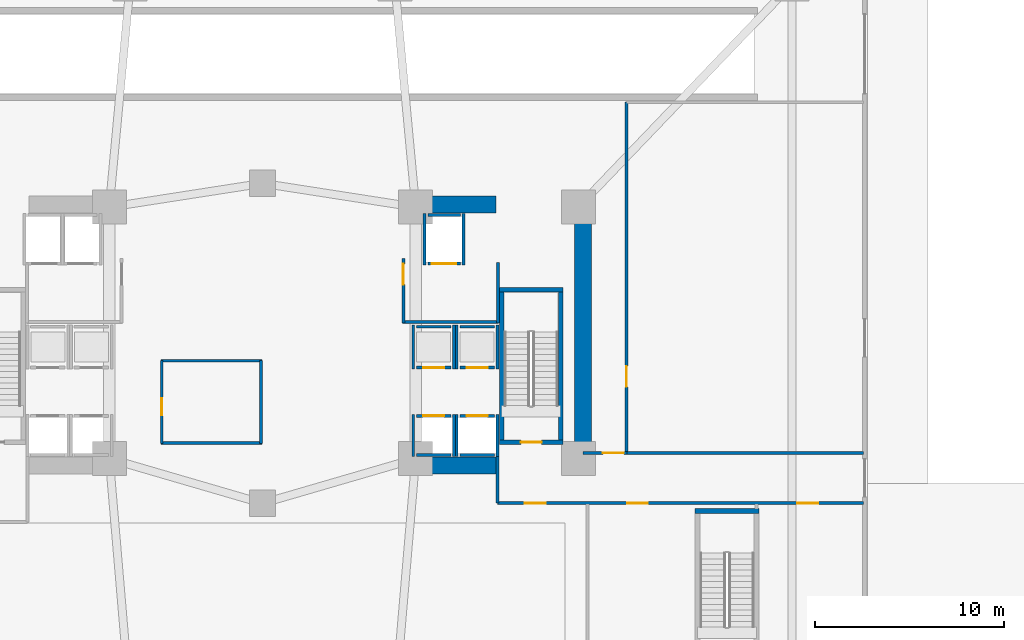
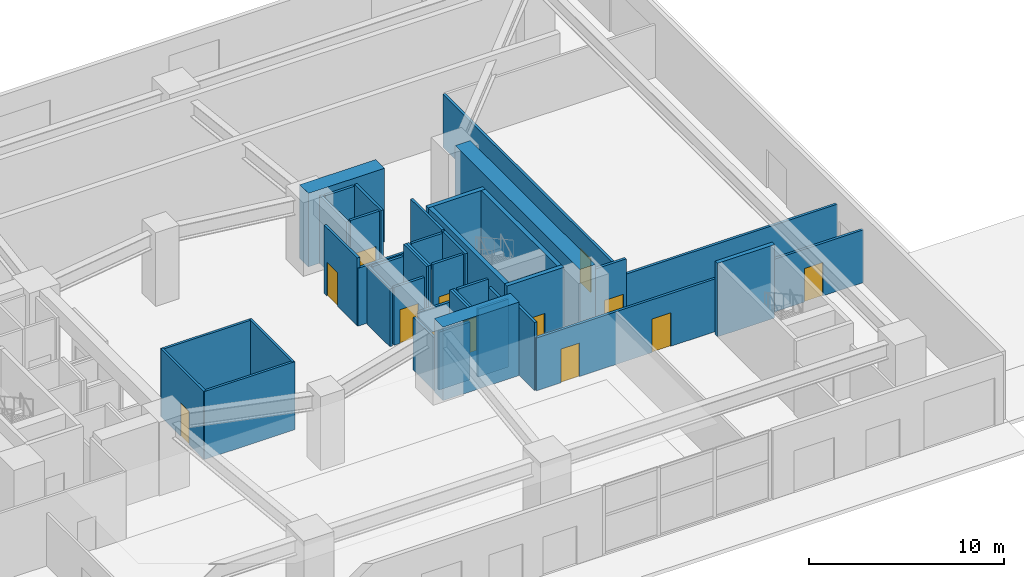
# One storey, part 11 of 18: 40 walls, 13 doors, 13 openings.
"""IFC4 building model written with IfcOpenShell, lengths in metres."""

import ifcopenshell
import ifcopenshell.guid

model = None  # the IFC model being written
_history = None  # IfcOwnerHistory: only IFC2X3 demands one
_inside = {}  # id of a spatial element -> (the spatial element, [elements in it])
_under = {}  # id of a project, library or spatial element -> (it, [spatial elements below it])
_declared = {}  # id of a project -> (the project, [libraries it declares])
_typed = {}  # id of a type object -> (the type object, [elements of that type])
_made_of = {}  # id of a material, layer set ... -> (it, [elements and type objects made of it])


def new_model(schema):
    """Start an empty IFC model of exactly this schema.

    Asked for "IFC4X3", IfcOpenShell would pick the latest addendum, in which some entities
    have other attributes; the version numbers below select the first issue.
    IFC2X3 requires an IfcOwnerHistory on every rooted entity: one is made here for all.
    """
    global model, _history
    if schema == "IFC4X3":
        model = ifcopenshell.file(schema_version=(4, 3, 0, 0))
    else:
        model = ifcopenshell.file(schema=schema)
    _inside.clear()
    _under.clear()
    _declared.clear()
    _typed.clear()
    _made_of.clear()
    _history = None
    if model.schema == "IFC2X3":
        org = make("IfcOrganization", Name="unknown")
        user = make(
            "IfcPersonAndOrganization",
            ThePerson=make("IfcPerson", FamilyName="unknown"),
            TheOrganization=org,
        )
        app = make(
            "IfcApplication",
            ApplicationDeveloper=org,
            Version="unknown",
            ApplicationFullName="unknown",
            ApplicationIdentifier="unknown",
        )
        _history = make(
            "IfcOwnerHistory",
            OwningUser=user,
            OwningApplication=app,
            ChangeAction="ADDED",
            CreationDate=0,
        )
    return model


def make(cls, **values):
    """One entity of the class cls with the attributes given. An attribute that is None is left unset."""
    return model.create_entity(
        cls, **{name: value for name, value in values.items() if value is not None}
    )


def rooted(cls, **values):
    """An entity with a GlobalId (a new one), such as an element, a storey or a relation."""
    return make(cls, GlobalId=ifcopenshell.guid.new(), OwnerHistory=_history, **values)


def si_unit(unit_type, name, prefix=None):
    """IfcSIUnit, for example si_unit("LENGTHUNIT", "METRE", prefix="MILLI")."""
    return make("IfcSIUnit", UnitType=unit_type, Prefix=prefix, Name=name)


def assignment(units):
    """IfcUnitAssignment: the units of a project."""
    return None if units is None else make("IfcUnitAssignment", Units=units)


def point(xyz):
    """IfcCartesianPoint."""
    return None if xyz is None else make("IfcCartesianPoint", Coordinates=xyz)


def direction(xyz):
    """IfcDirection."""
    return None if xyz is None else make("IfcDirection", DirectionRatios=xyz)


def frame(location, z_axis=None, x_axis=None):
    """IfcAxis2Placement3D, a coordinate frame: its origin and axes. An axis left out is left unset."""
    return make(
        "IfcAxis2Placement3D",
        Location=point(location),
        Axis=direction(z_axis),
        RefDirection=direction(x_axis),
    )


def frame_2d(location, x_axis=None):
    """IfcAxis2Placement2D, a coordinate frame in the plane: its origin and x axis."""
    return make(
        "IfcAxis2Placement2D", Location=point(location), RefDirection=direction(x_axis)
    )


def origin():
    """The frame at (0, 0, 0) with its axes left unset."""
    return frame((0.0, 0.0, 0.0))


def place(relative_to, where):
    """IfcLocalPlacement: puts the frame where relative to a parent placement (None: the world)."""
    return make(
        "IfcLocalPlacement", PlacementRelTo=relative_to, RelativePlacement=where
    )


def context(
    kind, dimensions, precision=None, world=None, true_north=None, identifier=None
):
    """IfcGeometricRepresentationContext, for example the 3D "Model" context."""
    return make(
        "IfcGeometricRepresentationContext",
        ContextIdentifier=identifier,
        ContextType=kind,
        CoordinateSpaceDimension=dimensions,
        Precision=precision,
        WorldCoordinateSystem=world,
        TrueNorth=true_north,
    )


def subcontext(parent, identifier, kind, view, scale=None):
    """IfcGeometricRepresentationSubContext, for example "Body" below "Model"."""
    return make(
        "IfcGeometricRepresentationSubContext",
        ContextIdentifier=identifier,
        ContextType=kind,
        ParentContext=parent,
        TargetScale=scale,
        TargetView=view,
    )


def project(units=None, contexts=None):
    """IfcProject with its units and contexts."""
    return rooted(
        "IfcProject",
        Name="project",
        RepresentationContexts=contexts,
        UnitsInContext=assignment(units),
    )


def spatial(cls, under=None, at=None, **own):
    """A site, building, storey or space (cls), placed at a placement, below another one or the project."""
    s = rooted(cls, ObjectPlacement=at, **own)
    if under is not None:
        _under.setdefault(under.id(), (under, []))[1].append(s)
    return s


def profile(cls, at=None, kind="AREA", **sizes):
    """A parametric profile (cls). Its sizes go by their IFC names, for example OverallWidth=200.0."""
    return make(cls, ProfileType=kind, Position=at, **sizes)


def rectangle(**sizes):
    """IfcRectangleProfileDef."""
    return profile("IfcRectangleProfileDef", **sizes)


def extrude(swept, where, along, depth):
    """IfcExtrudedAreaSolid: the profile swept, set in the frame where, extruded along a direction by depth."""
    return make(
        "IfcExtrudedAreaSolid",
        SweptArea=swept,
        Position=where,
        ExtrudedDirection=direction(along),
        Depth=depth,
    )


def shape(context_of_items, identifier, shape_type, items):
    """IfcShapeRepresentation: the items that make up one representation, for example the "Body"."""
    return make(
        "IfcShapeRepresentation",
        ContextOfItems=context_of_items,
        RepresentationIdentifier=identifier,
        RepresentationType=shape_type,
        Items=items,
    )


def material(Name=None, Category=None):
    """IfcMaterial."""
    return make("IfcMaterial", Name=Name, Category=Category)


def layer(
    of_material, thickness, ventilated=None, Name=None, Category=None, Priority=None
):
    """IfcMaterialLayer: one layer of a wall or slab, of a material (None: an air gap)."""
    return make(
        "IfcMaterialLayer",
        Material=of_material,
        LayerThickness=thickness,
        IsVentilated=ventilated,
        Name=Name,
        Category=Category,
        Priority=Priority,
    )


def layer_set(layers, Name=None):
    """IfcMaterialLayerSet."""
    return make("IfcMaterialLayerSet", MaterialLayers=layers, LayerSetName=Name)


def made_of(thing, what):
    """Note that an element or type object is made of a material, layer set ...; save() writes the relation."""
    if what is not None:
        _made_of.setdefault(what.id(), (what, []))[1].append(thing)
    return thing


def type_object(cls, material=None, **own):
    """A type object (cls), such as IfcWallType, which elements share."""
    return made_of(rooted(cls, **own), material)


def element(
    cls,
    number,
    at=None,
    inside=None,
    cuts=None,
    type_object=None,
    material=None,
    context=None,
    identifier="Body",
    shape_type=None,
    held_by="IfcProductDefinitionShape",
    body=None,
    shapes=None,
    **own,
):
    """One element of the class cls, such as IfcWall. Its Tag is "e" and its number.

    at: its placement. inside: the storey or other place that contains it. cuts: it is an
    opening in that element (IfcRelVoidsElement). A single representation is given by context,
    identifier, shape_type and body (its items); several are given by shapes. held_by: the class
    of the entity that holds the representations. save() writes the other relations.
    """
    e = rooted(cls, Tag="e%d" % number, ObjectPlacement=at, **own)
    if body is not None:
        shapes = [shape(context, identifier, shape_type, body)]
    if shapes is not None:
        e.Representation = make(held_by, Representations=shapes)
    if inside is not None:
        _inside.setdefault(inside.id(), (inside, []))[1].append(e)
    if cuts is not None:
        rooted(
            "IfcRelVoidsElement", RelatingBuildingElement=cuts, RelatedOpeningElement=e
        )
    if type_object is not None:
        _typed.setdefault(type_object.id(), (type_object, []))[1].append(e)
    return made_of(e, material)


def fill(opening, filler):
    """IfcRelFillsElement: the door or window that sits in an opening."""
    return rooted(
        "IfcRelFillsElement",
        RelatingOpeningElement=opening,
        RelatedBuildingElement=filler,
    )


def aggregate(whole, parts):
    """IfcRelAggregates: a whole, such as a stair, and the parts it consists of."""
    return rooted("IfcRelAggregates", RelatingObject=whole, RelatedObjects=parts)


def save(model, path):
    """Write the relations noted so far, then the file.

    IfcRelAggregates (storeys below a building ...), IfcRelContainedInSpatialStructure (elements
    in a storey), IfcRelDefinesByType, IfcRelAssociatesMaterial and IfcRelDeclares: one each for
    every whole, place, type object, material and project.
    """
    for whole, parts in _under.values():
        aggregate(whole, parts)
    for where, things in _inside.values():
        rooted(
            "IfcRelContainedInSpatialStructure",
            RelatedElements=things,
            RelatingStructure=where,
        )
    for kind, things in _typed.values():
        rooted("IfcRelDefinesByType", RelatedObjects=things, RelatingType=kind)
    for what, things in _made_of.values():
        rooted("IfcRelAssociatesMaterial", RelatedObjects=things, RelatingMaterial=what)
    for by, libraries in _declared.values():
        rooted("IfcRelDeclares", RelatingContext=by, RelatedDefinitions=libraries)
    model.write(path)


model = new_model("IFC4")

# Units and contexts
model_context = context("Model", 3, precision=1e-05, world=origin(), true_north=direction((0.0, 1.0)))
body_context = subcontext(model_context, "Body", "Model", "MODEL_VIEW")
ifc_project = project(units=[si_unit("LENGTHUNIT", "METRE"), si_unit("AREAUNIT", "SQUARE_METRE"), si_unit("VOLUMEUNIT", "CUBIC_METRE"), si_unit("PLANEANGLEUNIT", "RADIAN"), si_unit("MASSUNIT", "GRAM", prefix="KILO")], contexts=[model_context])

# Site, building, storey
site_placement = place(None, origin())
site = spatial("IfcSite", under=ifc_project, at=site_placement, CompositionType="ELEMENT")
building_placement = place(site_placement, origin())
building = spatial("IfcBuilding", under=site, at=building_placement, Name="Solvane Sanctuary Tower", CompositionType="ELEMENT")
storey_placement = place(building_placement, origin())
storey = spatial("IfcBuildingStorey", under=building, at=storey_placement, Name="L01", CompositionType="ELEMENT", Elevation=0.0)

# Walls
ifc_material_1 = material(Name="Concrete C70/85", Category="concrete")
ifc_layer_1 = layer(ifc_material_1, 0.89990234375, Name="Concrete C70/85")
ifc_layer_set_1 = layer_set([ifc_layer_1], Name="Concrete C70/85")
wall_type_1 = type_object("IfcWallType", Name="Wall W-CORE-900", PredefinedType="SHEAR", material=ifc_layer_set_1)
wall_1_placement = place(storey_placement, frame((48.949951171875, 17.050048828125, 0.0), z_axis=(0.0, 0.0, 1.0), x_axis=(0.0, 1.0, 0.0)))
element("IfcWall", 1, at=wall_1_placement, inside=storey, type_object=wall_type_1, Name="L01 Core Shear Wall EC-E", PredefinedType="SHEAR", context=body_context, shape_type="SweptSolid", body=[
    extrude(rectangle(XDim=12.800048828125, YDim=0.89990234375, at=frame_2d((6.39990234375, 0.0))), origin(), (0.0, 0.0, 1.0), 4.60009765625),
])
for number, where, z_axis, x_axis, name in (
    (2, (39.85009765625, 16.550048828125, 0.0), (0.0, 0.0, 1.0), (1.0, 0.0, 0.0), "L01 Core Shear Wall EC-S"),
    (3, (39.85009765625, 30.35009765625, 0.0), (0.0, 0.0, 1.0), (1.0, 0.0, 0.0), "L01 Core Shear Wall EC-N"),
):
    element("IfcWall", number, at=place(storey_placement, frame(where, z_axis=z_axis, x_axis=x_axis)), inside=storey, type_object=wall_type_1, Name=name, PredefinedType="SHEAR", context=body_context, shape_type="SweptSolid", body=[
        extrude(rectangle(XDim=4.5, YDim=0.89990234375, at=frame_2d((2.25, 0.0))), origin(), (0.0, 0.0, 1.0), 4.60009765625),
    ])
ifc_material_2 = material(Name="Acoustic Gypsum Partition Board")
ifc_layer_2 = layer(ifc_material_2, 0.14990234375, Name="Acoustic Gypsum Partition Board")
ifc_layer_set_2 = layer_set([ifc_layer_2], Name="Acoustic Gypsum Partition Board")
wall_type_2 = type_object("IfcWallType", Name="Wall W-CORR-150", PredefinedType="PARTITIONING", material=ifc_layer_set_2)
wall_2_placement = place(storey_placement, frame((39.39990234375, 24.1201171875, 0.0), z_axis=(0.0, 0.0, 1.0), x_axis=(1.0, 0.0, 0.0)))
element("IfcWall", 4, at=wall_2_placement, inside=storey, type_object=wall_type_2, Name="L01 East Firefighting Lobby South Wall", PredefinedType="PARTITIONING", context=body_context, shape_type="SweptSolid", body=[
    extrude(rectangle(XDim=5.080078125, YDim=0.14990234375, at=frame_2d((2.5400390625, 0.0))), origin(), (0.0, 0.0, 1.0), 3.6201171875),
])
wall_3_placement = place(storey_placement, frame((44.449951171875, 24.080078125, 0.0), z_axis=(0.0, 0.0, 1.0), x_axis=(0.0, 1.0, 0.0)))
element("IfcWall", 5, at=wall_3_placement, inside=storey, type_object=wall_type_2, Name="L01 East Firefighting Lobby East Wall", PredefinedType="PARTITIONING", context=body_context, shape_type="SweptSolid", body=[
    extrude(rectangle(XDim=3.199951171875, YDim=0.14990234375, at=frame_2d((1.60009765625, 0.0))), origin(), (0.0, 0.0, 1.0), 4.2548828125),
])

# Wall, opening, door
wall_4_placement = place(storey_placement, frame((39.449951171875, 24.080078125, 0.0), z_axis=(0.0, 0.0, 1.0), x_axis=(0.0, 1.0, 0.0)))
wall_4 = element("IfcWall", 6, at=wall_4_placement, inside=storey, type_object=wall_type_2, Name="L01 East Firefighting Lobby West Wall", PredefinedType="PARTITIONING", context=body_context, shape_type="SweptSolid", body=[
    extrude(rectangle(XDim=3.39990234375, YDim=0.14990234375, at=frame_2d((1.699951171875, 0.0))), origin(), (0.0, 0.0, 1.0), 4.2548828125),
])
opening_1_placement = place(wall_4_placement, frame((2.02001953125, 0.0, 0.0)))
opening_1 = element("IfcOpeningElement", 7, at=opening_1_placement, cuts=wall_4, Name="Opening D-L01-25", PredefinedType="OPENING", context=body_context, shape_type="SweptSolid", body=[
    extrude(rectangle(XDim=1.10009765625, YDim=2.10009765625, at=frame_2d((0.550048828125, 1.050048828125))), frame((0.0, 0.0849609375, 0.0), z_axis=(0.0, -1.0, 0.0), x_axis=(1.0, 0.0, 0.0)), (0.0, 0.0, 1.0), 0.169921875),
])
ifc_material_3 = material(Name="Architectural Stainless Steel 316", Category="steel")
door_type_1 = type_object("IfcDoorType", Name="Door D-FFL", OperationType="NOTDEFINED", PredefinedType="DOOR", material=ifc_material_3)
door_1_placement = place(opening_1_placement, origin())
door_1 = element("IfcDoor", 8, at=door_1_placement, inside=storey, type_object=door_type_1, Name="L01 East Firefighting Lobby Fire Door", OperationType="SINGLE_SWING_RIGHT", OverallHeight=2.10009765625, OverallWidth=1.10009765625, PredefinedType="DOOR", context=body_context, shape_type="SweptSolid", body=[
    extrude(rectangle(XDim=1.10009765625, YDim=2.10009765625, at=frame_2d((0.550048828125, 1.050048828125))), frame((0.0, 0.02490234375, 0.0), z_axis=(0.0, -1.0, 0.0), x_axis=(1.0, 0.0, 0.0)), (0.0, 0.0, 1.0), 0.050048828125),
])
fill(opening_1, door_1)

# Wall
wall_5_placement = place(storey_placement, frame((44.429931640625, 14.550048828125, 0.0), z_axis=(0.0, 0.0, 1.0), x_axis=(0.0, 1.0, 0.0)))
element("IfcWall", 9, at=wall_5_placement, inside=storey, type_object=wall_type_2, Name="L01 East Exit Passage West Wall", PredefinedType="PARTITIONING", context=body_context, shape_type="SweptSolid", body=[
    extrude(rectangle(XDim=2.469970703125, YDim=0.14990234375, at=frame_2d((1.23486328125, 0.0))), origin(), (0.0, 0.0, 1.0), 4.2548828125),
])

# Wall, openings, doors
wall_6_placement = place(storey_placement, frame((44.429931640625, 14.550048828125, 0.0), z_axis=(0.0, 0.0, 1.0), x_axis=(1.0, 0.0, 0.0)))
wall_6 = element("IfcWall", 10, at=wall_6_placement, inside=storey, type_object=wall_type_2, Name="L01 East Exit Passage South Wall", PredefinedType="PARTITIONING", context=body_context, shape_type="SweptSolid", body=[
    extrude(rectangle(XDim=19.35009765625, YDim=0.14990234375, at=frame_2d((9.675048828125, 0.0))), origin(), (0.0, 0.0, 1.0), 3.300048828125),
])
opening_2_placement = place(wall_6_placement, frame((1.449951171875, 0.0, 0.0)))
opening_2 = element("IfcOpeningElement", 11, at=opening_2_placement, cuts=wall_6, Name="Opening D-L01-32", PredefinedType="OPENING", context=body_context, shape_type="SweptSolid", body=[
    extrude(rectangle(XDim=1.10009765625, YDim=2.10009765625, at=frame_2d((0.550048828125, 1.050048828125))), frame((0.0, 0.0849609375, 0.0), z_axis=(0.0, -1.0, 0.0), x_axis=(1.0, 0.0, 0.0)), (0.0, 0.0, 1.0), 0.169921875),
])
opening_3_placement = place(wall_6_placement, frame((6.85009765625, 0.0, 0.0)))
opening_3 = element("IfcOpeningElement", 12, at=opening_3_placement, cuts=wall_6, Name="Opening D-L01-33", PredefinedType="OPENING", context=body_context, shape_type="SweptSolid", body=[
    extrude(rectangle(XDim=1.10009765625, YDim=2.10009765625, at=frame_2d((0.550048828125, 1.050048828125))), frame((0.0, 0.0849609375, 0.0), z_axis=(0.0, -1.0, 0.0), x_axis=(1.0, 0.0, 0.0)), (0.0, 0.0, 1.0), 0.169921875),
])
opening_4_placement = place(wall_6_placement, frame((15.85009765625, 0.0, 0.0)))
opening_4 = element("IfcOpeningElement", 13, at=opening_4_placement, cuts=wall_6, Name="Opening D-L01-34", PredefinedType="OPENING", context=body_context, shape_type="SweptSolid", body=[
    extrude(rectangle(XDim=1.10009765625, YDim=2.10009765625, at=frame_2d((0.550048828125, 1.050048828125))), frame((0.0, 0.0849609375, 0.0), z_axis=(0.0, -1.0, 0.0), x_axis=(1.0, 0.0, 0.0)), (0.0, 0.0, 1.0), 0.169921875),
])
door_2_placement = place(opening_2_placement, origin())
door_2 = element("IfcDoor", 14, at=door_2_placement, inside=storey, type_object=door_type_1, Name="L01 East Exit Passage Fire Door", OperationType="SINGLE_SWING_LEFT", OverallHeight=2.10009765625, OverallWidth=1.10009765625, PredefinedType="DOOR", context=body_context, shape_type="SweptSolid", body=[
    extrude(rectangle(XDim=1.10009765625, YDim=2.10009765625, at=frame_2d((0.550048828125, 1.050048828125))), frame((0.0, 0.02490234375, 0.0), z_axis=(0.0, -1.0, 0.0), x_axis=(1.0, 0.0, 0.0)), (0.0, 0.0, 1.0), 0.050048828125),
])
fill(opening_2, door_2)
door_3_placement = place(opening_3_placement, origin())
door_3 = element("IfcDoor", 15, at=door_3_placement, inside=storey, type_object=door_type_1, Name="L01 Bookshop Interior Door", OperationType="SINGLE_SWING_RIGHT", OverallHeight=2.10009765625, OverallWidth=1.10009765625, PredefinedType="DOOR", context=body_context, shape_type="SweptSolid", body=[
    extrude(rectangle(XDim=1.10009765625, YDim=2.10009765625, at=frame_2d((0.550048828125, 1.050048828125))), frame((0.0, 0.02490234375, 0.0), z_axis=(0.0, -1.0, 0.0), x_axis=(1.0, 0.0, 0.0)), (0.0, 0.0, 1.0), 0.050048828125),
])
fill(opening_3, door_3)
door_4_placement = place(opening_4_placement, origin())
door_4 = element("IfcDoor", 16, at=door_4_placement, inside=storey, type_object=door_type_1, Name="L01 South-East Portal Fire Door", OperationType="SINGLE_SWING_LEFT", OverallHeight=2.10009765625, OverallWidth=1.10009765625, PredefinedType="DOOR", context=body_context, shape_type="SweptSolid", body=[
    extrude(rectangle(XDim=1.10009765625, YDim=2.10009765625, at=frame_2d((0.550048828125, 1.050048828125))), frame((0.0, 0.02490234375, 0.0), z_axis=(0.0, -1.0, 0.0), x_axis=(1.0, 0.0, 0.0)), (0.0, 0.0, 1.0), 0.050048828125),
])
fill(opening_4, door_4)

# Wall, opening, door
wall_7_placement = place(storey_placement, frame((48.949951171875, 17.199951171875, 0.0), z_axis=(0.0, 0.0, 1.0), x_axis=(1.0, 0.0, 0.0)))
wall_7 = element("IfcWall", 17, at=wall_7_placement, inside=storey, type_object=wall_type_2, Name="L01 East Exit Passage North Wall", PredefinedType="PARTITIONING", context=body_context, shape_type="SweptSolid", body=[
    extrude(rectangle(XDim=2.330078125, YDim=0.14990234375, at=frame_2d((1.1650390625, 0.0))), origin(), (0.0, 0.0, 1.0), 4.2548828125),
])
opening_5_placement = place(wall_7_placement, frame((1.054931640625, 0.0, 0.0)))
opening_5 = element("IfcOpeningElement", 18, at=opening_5_placement, cuts=wall_7, Name="Opening D-L01-35", PredefinedType="OPENING", context=body_context, shape_type="SweptSolid", body=[
    extrude(rectangle(XDim=1.10009765625, YDim=2.10009765625, at=frame_2d((0.550048828125, 1.050048828125))), frame((0.0, 0.0849609375, 0.0), z_axis=(0.0, -1.0, 0.0), x_axis=(1.0, 0.0, 0.0)), (0.0, 0.0, 1.0), 0.169921875),
])
door_5_placement = place(opening_5_placement, origin())
door_5 = element("IfcDoor", 19, at=door_5_placement, inside=storey, type_object=door_type_1, Name="L01 East Cloister Fire Door", OperationType="SINGLE_SWING_RIGHT", OverallHeight=2.10009765625, OverallWidth=1.10009765625, PredefinedType="DOOR", context=body_context, shape_type="SweptSolid", body=[
    extrude(rectangle(XDim=1.10009765625, YDim=2.10009765625, at=frame_2d((0.550048828125, 1.050048828125))), frame((0.0, 0.02490234375, 0.0), z_axis=(0.0, -1.0, 0.0), x_axis=(1.0, 0.0, 0.0)), (0.0, 0.0, 1.0), 0.050048828125),
])
fill(opening_5, door_5)

wall_8_placement = place(storey_placement, frame((51.25, 17.199951171875, 0.0), z_axis=(0.0, 0.0, 1.0), x_axis=(0.0, 1.0, 0.0)))
wall_8 = element("IfcWall", 20, at=wall_8_placement, inside=storey, type_object=wall_type_2, Name="L01 Cloister Cafe West Wall", PredefinedType="PARTITIONING", context=body_context, shape_type="SweptSolid", body=[
    extrude(rectangle(XDim=18.550048828125, YDim=0.14990234375, at=frame_2d((9.27490234375, 0.0))), origin(), (0.0, 0.0, 1.0), 3.300048828125),
])
opening_6_placement = place(wall_8_placement, frame((3.5, 0.0, 0.0)))
opening_6 = element("IfcOpeningElement", 21, at=opening_6_placement, cuts=wall_8, Name="Opening D-L01-37", PredefinedType="OPENING", context=body_context, shape_type="SweptSolid", body=[
    extrude(rectangle(XDim=1.10009765625, YDim=2.10009765625, at=frame_2d((0.550048828125, 1.050048828125))), frame((0.0, 0.0849609375, 0.0), z_axis=(0.0, -1.0, 0.0), x_axis=(1.0, 0.0, 0.0)), (0.0, 0.0, 1.0), 0.169921875),
])
door_6_placement = place(opening_6_placement, origin())
door_6 = element("IfcDoor", 22, at=door_6_placement, inside=storey, type_object=door_type_1, Name="L01 Cloister Cafe Entrance Door", OperationType="SINGLE_SWING_RIGHT", OverallHeight=2.10009765625, OverallWidth=1.10009765625, PredefinedType="DOOR", context=body_context, shape_type="SweptSolid", body=[
    extrude(rectangle(XDim=1.10009765625, YDim=2.10009765625, at=frame_2d((0.550048828125, 1.050048828125))), frame((0.0, 0.02490234375, 0.0), z_axis=(0.0, -1.0, 0.0), x_axis=(1.0, 0.0, 0.0)), (0.0, 0.0, 1.0), 0.050048828125),
])
fill(opening_6, door_6)

# Wall
wall_9_placement = place(storey_placement, frame((51.25, 17.199951171875, 0.0), z_axis=(0.0, 0.0, 1.0), x_axis=(1.0, 0.0, 0.0)))
element("IfcWall", 23, at=wall_9_placement, inside=storey, type_object=wall_type_2, Name="L01 Cloister Cafe South Wall", PredefinedType="PARTITIONING", context=body_context, shape_type="SweptSolid", body=[
    extrude(rectangle(XDim=12.530029296875, YDim=0.14990234375, at=frame_2d((6.26513671875, 0.0))), origin(), (0.0, 0.0, 1.0), 3.300048828125),
])

# Wall, opening, door
ifc_material_4 = material(Name="Concrete C50/60", Category="concrete")
ifc_layer_3 = layer(ifc_material_4, 0.14990234375, Name="Concrete C50/60")
ifc_layer_set_3 = layer_set([ifc_layer_3], Name="Concrete C50/60")
wall_type_3 = type_object("IfcWallType", Name="Wall W-SHAFT-150", PredefinedType="SOLIDWALL", material=ifc_layer_set_3)
wall_10_placement = place(storey_placement, frame((40.139892578125, 19.159912109375, 0.0), z_axis=(0.0, 0.0, 1.0), x_axis=(1.0, 0.0, 0.0)))
wall_10 = element("IfcWall", 24, at=wall_10_placement, inside=storey, type_object=wall_type_3, Name="L01 PL-3 Lift Shaft Wall F", PredefinedType="SOLIDWALL", context=body_context, shape_type="SweptSolid", body=[
    extrude(rectangle(XDim=1.820068359375, YDim=0.14990234375, at=frame_2d((0.91015625, 0.0))), origin(), (0.0, 0.0, 1.0), 3.6201171875),
])
opening_7_placement = place(wall_10_placement, frame((0.360107421875, 0.0, 0.0)))
opening_7 = element("IfcOpeningElement", 25, at=opening_7_placement, cuts=wall_10, Name="Opening LD-L01-03", PredefinedType="OPENING", context=body_context, shape_type="SweptSolid", body=[
    extrude(rectangle(XDim=1.10009765625, YDim=2.10009765625, at=frame_2d((0.550048828125, 1.050048828125))), frame((0.0, 0.0849609375, 0.0), z_axis=(0.0, -1.0, 0.0), x_axis=(1.0, 0.0, 0.0)), (0.0, 0.0, 1.0), 0.169921875),
])
door_type_2 = type_object("IfcDoorType", Name="Door LD-PASS-1100", OperationType="NOTDEFINED", PredefinedType="DOOR", material=ifc_material_3)
door_7_placement = place(opening_7_placement, origin())
door_7 = element("IfcDoor", 26, at=door_7_placement, inside=storey, type_object=door_type_2, Name="L01 PL-3 Lift Landing Door", OperationType="DOUBLE_DOOR_SLIDING", OverallHeight=2.10009765625, OverallWidth=1.10009765625, PredefinedType="DOOR", context=body_context, shape_type="SweptSolid", body=[
    extrude(rectangle(XDim=1.10009765625, YDim=2.10009765625, at=frame_2d((0.550048828125, 1.050048828125))), frame((0.0, 0.02490234375, 0.0), z_axis=(0.0, -1.0, 0.0), x_axis=(1.0, 0.0, 0.0)), (0.0, 0.0, 1.0), 0.050048828125),
])
fill(opening_7, door_7)

# Walls
wall_11_placement = place(storey_placement, frame((40.139892578125, 17.10009765625, 0.0), z_axis=(0.0, 0.0, 1.0), x_axis=(1.0, 0.0, 0.0)))
element("IfcWall", 27, at=wall_11_placement, inside=storey, type_object=wall_type_3, Name="L01 PL-3 Lift Shaft Wall B", PredefinedType="SOLIDWALL", context=body_context, shape_type="SweptSolid", body=[
    extrude(rectangle(XDim=1.820068359375, YDim=0.14990234375, at=frame_2d((0.91015625, 0.0))), origin(), (0.0, 0.0, 1.0), 3.6201171875),
])
wall_12_placement = place(storey_placement, frame((39.969970703125, 17.02001953125, 0.0), z_axis=(0.0, 0.0, 1.0), x_axis=(0.0, 1.0, 0.0)))
element("IfcWall", 28, at=wall_12_placement, inside=storey, type_object=wall_type_3, Name="L01 PL-3 Lift Shaft Wall S1", PredefinedType="SOLIDWALL", context=body_context, shape_type="SweptSolid", body=[
    extrude(rectangle(XDim=2.219970703125, YDim=0.14990234375, at=frame_2d((1.10986328125, 0.0))), origin(), (0.0, 0.0, 1.0), 3.300048828125),
])
wall_13_placement = place(storey_placement, frame((42.1298828125, 17.02001953125, 0.0), z_axis=(0.0, 0.0, 1.0), x_axis=(0.0, 1.0, 0.0)))
element("IfcWall", 29, at=wall_13_placement, inside=storey, type_object=wall_type_3, Name="L01 PL-3 Lift Shaft Wall S2", PredefinedType="SOLIDWALL", context=body_context, shape_type="SweptSolid", body=[
    extrude(rectangle(XDim=2.219970703125, YDim=0.14990234375, at=frame_2d((1.10986328125, 0.0))), origin(), (0.0, 0.0, 1.0), 4.2548828125),
])

# Wall, opening, door
wall_14_placement = place(storey_placement, frame((42.43994140625, 19.159912109375, 0.0), z_axis=(0.0, 0.0, 1.0), x_axis=(1.0, 0.0, 0.0)))
wall_14 = element("IfcWall", 30, at=wall_14_placement, inside=storey, type_object=wall_type_3, Name="L01 PL-4 Lift Shaft Wall F", PredefinedType="SOLIDWALL", context=body_context, shape_type="SweptSolid", body=[
    extrude(rectangle(XDim=1.820068359375, YDim=0.14990234375, at=frame_2d((0.91015625, 0.0))), origin(), (0.0, 0.0, 1.0), 4.2548828125),
])
opening_8_placement = place(wall_14_placement, frame((0.360107421875, 0.0, 0.0)))
opening_8 = element("IfcOpeningElement", 31, at=opening_8_placement, cuts=wall_14, Name="Opening LD-L01-04", PredefinedType="OPENING", context=body_context, shape_type="SweptSolid", body=[
    extrude(rectangle(XDim=1.10009765625, YDim=2.10009765625, at=frame_2d((0.550048828125, 1.050048828125))), frame((0.0, 0.0849609375, 0.0), z_axis=(0.0, -1.0, 0.0), x_axis=(1.0, 0.0, 0.0)), (0.0, 0.0, 1.0), 0.169921875),
])
door_8_placement = place(opening_8_placement, origin())
door_8 = element("IfcDoor", 32, at=door_8_placement, inside=storey, type_object=door_type_2, Name="L01 PL-4 Lift Landing Door", OperationType="DOUBLE_DOOR_SLIDING", OverallHeight=2.10009765625, OverallWidth=1.10009765625, PredefinedType="DOOR", context=body_context, shape_type="SweptSolid", body=[
    extrude(rectangle(XDim=1.10009765625, YDim=2.10009765625, at=frame_2d((0.550048828125, 1.050048828125))), frame((0.0, 0.02490234375, 0.0), z_axis=(0.0, -1.0, 0.0), x_axis=(1.0, 0.0, 0.0)), (0.0, 0.0, 1.0), 0.050048828125),
])
fill(opening_8, door_8)

# Walls
wall_15_placement = place(storey_placement, frame((42.43994140625, 17.10009765625, 0.0), z_axis=(0.0, 0.0, 1.0), x_axis=(1.0, 0.0, 0.0)))
element("IfcWall", 33, at=wall_15_placement, inside=storey, type_object=wall_type_3, Name="L01 PL-4 Lift Shaft Wall B", PredefinedType="SOLIDWALL", context=body_context, shape_type="SweptSolid", body=[
    extrude(rectangle(XDim=1.820068359375, YDim=0.14990234375, at=frame_2d((0.91015625, 0.0))), origin(), (0.0, 0.0, 1.0), 4.2548828125),
])
wall_16_placement = place(storey_placement, frame((42.27001953125, 17.02001953125, 0.0), z_axis=(0.0, 0.0, 1.0), x_axis=(0.0, 1.0, 0.0)))
element("IfcWall", 34, at=wall_16_placement, inside=storey, type_object=wall_type_3, Name="L01 PL-4 Lift Shaft Wall S1", PredefinedType="SOLIDWALL", context=body_context, shape_type="SweptSolid", body=[
    extrude(rectangle(XDim=2.219970703125, YDim=0.14990234375, at=frame_2d((1.10986328125, 0.0))), origin(), (0.0, 0.0, 1.0), 4.2548828125),
])
wall_17_placement = place(storey_placement, frame((44.429931640625, 17.02001953125, 0.0), z_axis=(0.0, 0.0, 1.0), x_axis=(0.0, 1.0, 0.0)))
element("IfcWall", 35, at=wall_17_placement, inside=storey, type_object=wall_type_3, Name="L01 PL-4 Lift Shaft Wall S2", PredefinedType="SOLIDWALL", context=body_context, shape_type="SweptSolid", body=[
    extrude(rectangle(XDim=2.219970703125, YDim=0.14990234375, at=frame_2d((1.10986328125, 0.0))), origin(), (0.0, 0.0, 1.0), 3.6201171875),
])

# Wall, opening, door
wall_18_placement = place(storey_placement, frame((42.43994140625, 21.719970703125, 0.0), z_axis=(0.0, 0.0, 1.0), x_axis=(1.0, 0.0, 0.0)))
wall_18 = element("IfcWall", 36, at=wall_18_placement, inside=storey, type_object=wall_type_3, Name="L01 PM-2 Lift Shaft Wall F", PredefinedType="SOLIDWALL", context=body_context, shape_type="SweptSolid", body=[
    extrude(rectangle(XDim=1.820068359375, YDim=0.14990234375, at=frame_2d((0.91015625, 0.0))), origin(), (0.0, 0.0, 1.0), 4.2548828125),
])
opening_9_placement = place(wall_18_placement, frame((0.360107421875, 0.0, 0.0)))
opening_9 = element("IfcOpeningElement", 37, at=opening_9_placement, cuts=wall_18, Name="Opening LD-L01-06", PredefinedType="OPENING", context=body_context, shape_type="SweptSolid", body=[
    extrude(rectangle(XDim=1.10009765625, YDim=2.10009765625, at=frame_2d((0.550048828125, 1.050048828125))), frame((0.0, 0.0849609375, 0.0), z_axis=(0.0, -1.0, 0.0), x_axis=(1.0, 0.0, 0.0)), (0.0, 0.0, 1.0), 0.169921875),
])
door_9_placement = place(opening_9_placement, origin())
door_9 = element("IfcDoor", 38, at=door_9_placement, inside=storey, type_object=door_type_2, Name="L01 PM-2 Lift Landing Door", OperationType="DOUBLE_DOOR_SLIDING", OverallHeight=2.10009765625, OverallWidth=1.10009765625, PredefinedType="DOOR", context=body_context, shape_type="SweptSolid", body=[
    extrude(rectangle(XDim=1.10009765625, YDim=2.10009765625, at=frame_2d((0.550048828125, 1.050048828125))), frame((0.0, 0.02490234375, 0.0), z_axis=(0.0, -1.0, 0.0), x_axis=(1.0, 0.0, 0.0)), (0.0, 0.0, 1.0), 0.050048828125),
])
fill(opening_9, door_9)

# Walls
wall_19_placement = place(storey_placement, frame((42.43994140625, 23.8798828125, 0.0), z_axis=(0.0, 0.0, 1.0), x_axis=(1.0, 0.0, 0.0)))
element("IfcWall", 39, at=wall_19_placement, inside=storey, type_object=wall_type_3, Name="L01 PM-2 Lift Shaft Wall B", PredefinedType="SOLIDWALL", context=body_context, shape_type="SweptSolid", body=[
    extrude(rectangle(XDim=1.820068359375, YDim=0.14990234375, at=frame_2d((0.91015625, 0.0))), origin(), (0.0, 0.0, 1.0), 4.2548828125),
])
for number, where, z_axis, x_axis, name in (
    (40, (42.27001953125, 21.639892578125, 0.0), (0.0, 0.0, 1.0), (0.0, 1.0, 0.0), "L01 PM-2 Lift Shaft Wall S1"),
    (41, (44.429931640625, 21.639892578125, 0.0), (0.0, 0.0, 1.0), (0.0, 1.0, 0.0), "L01 PM-2 Lift Shaft Wall S2"),
):
    element("IfcWall", number, at=place(storey_placement, frame(where, z_axis=z_axis, x_axis=x_axis)), inside=storey, type_object=wall_type_3, Name=name, PredefinedType="SOLIDWALL", context=body_context, shape_type="SweptSolid", body=[
        extrude(rectangle(XDim=2.320068359375, YDim=0.14990234375, at=frame_2d((1.16015625, 0.0))), origin(), (0.0, 0.0, 1.0), 4.2548828125),
    ])

# Wall, opening, door
wall_20_placement = place(storey_placement, frame((40.139892578125, 21.719970703125, 0.0), z_axis=(0.0, 0.0, 1.0), x_axis=(1.0, 0.0, 0.0)))
wall_20 = element("IfcWall", 42, at=wall_20_placement, inside=storey, type_object=wall_type_3, Name="L01 PH-2 Lift Shaft Wall F", PredefinedType="SOLIDWALL", context=body_context, shape_type="SweptSolid", body=[
    extrude(rectangle(XDim=1.820068359375, YDim=0.14990234375, at=frame_2d((0.91015625, 0.0))), origin(), (0.0, 0.0, 1.0), 3.6201171875),
])
opening_10_placement = place(wall_20_placement, frame((0.360107421875, 0.0, 0.0)))
opening_10 = element("IfcOpeningElement", 43, at=opening_10_placement, cuts=wall_20, Name="Opening LD-L01-08", PredefinedType="OPENING", context=body_context, shape_type="SweptSolid", body=[
    extrude(rectangle(XDim=1.10009765625, YDim=2.10009765625, at=frame_2d((0.550048828125, 1.050048828125))), frame((0.0, 0.0849609375, 0.0), z_axis=(0.0, -1.0, 0.0), x_axis=(1.0, 0.0, 0.0)), (0.0, 0.0, 1.0), 0.169921875),
])
door_10_placement = place(opening_10_placement, origin())
door_10 = element("IfcDoor", 44, at=door_10_placement, inside=storey, type_object=door_type_2, Name="L01 PH-2 Lift Landing Door", OperationType="DOUBLE_DOOR_SLIDING", OverallHeight=2.10009765625, OverallWidth=1.10009765625, PredefinedType="DOOR", context=body_context, shape_type="SweptSolid", body=[
    extrude(rectangle(XDim=1.10009765625, YDim=2.10009765625, at=frame_2d((0.550048828125, 1.050048828125))), frame((0.0, 0.02490234375, 0.0), z_axis=(0.0, -1.0, 0.0), x_axis=(1.0, 0.0, 0.0)), (0.0, 0.0, 1.0), 0.050048828125),
])
fill(opening_10, door_10)

# Walls
wall_21_placement = place(storey_placement, frame((40.139892578125, 23.8798828125, 0.0), z_axis=(0.0, 0.0, 1.0), x_axis=(1.0, 0.0, 0.0)))
element("IfcWall", 45, at=wall_21_placement, inside=storey, type_object=wall_type_3, Name="L01 PH-2 Lift Shaft Wall B", PredefinedType="SOLIDWALL", context=body_context, shape_type="SweptSolid", body=[
    extrude(rectangle(XDim=1.820068359375, YDim=0.14990234375, at=frame_2d((0.91015625, 0.0))), origin(), (0.0, 0.0, 1.0), 3.6201171875),
])
wall_22_placement = place(storey_placement, frame((39.969970703125, 21.639892578125, 0.0), z_axis=(0.0, 0.0, 1.0), x_axis=(0.0, 1.0, 0.0)))
element("IfcWall", 46, at=wall_22_placement, inside=storey, type_object=wall_type_3, Name="L01 PH-2 Lift Shaft Wall S1", PredefinedType="SOLIDWALL", context=body_context, shape_type="SweptSolid", body=[
    extrude(rectangle(XDim=2.320068359375, YDim=0.14990234375, at=frame_2d((1.16015625, 0.0))), origin(), (0.0, 0.0, 1.0), 3.6201171875),
])
wall_23_placement = place(storey_placement, frame((42.1298828125, 21.639892578125, 0.0), z_axis=(0.0, 0.0, 1.0), x_axis=(0.0, 1.0, 0.0)))
element("IfcWall", 47, at=wall_23_placement, inside=storey, type_object=wall_type_3, Name="L01 PH-2 Lift Shaft Wall S2", PredefinedType="SOLIDWALL", context=body_context, shape_type="SweptSolid", body=[
    extrude(rectangle(XDim=2.320068359375, YDim=0.14990234375, at=frame_2d((1.16015625, 0.0))), origin(), (0.0, 0.0, 1.0), 4.2548828125),
])

# Wall, opening, door
wall_24_placement = place(storey_placement, frame((40.739990234375, 27.219970703125, 0.0), z_axis=(0.0, 0.0, 1.0), x_axis=(1.0, 0.0, 0.0)))
wall_24 = element("IfcWall", 48, at=wall_24_placement, inside=storey, type_object=wall_type_3, Name="L01 FFL-2 Lift Shaft Wall F", PredefinedType="SOLIDWALL", context=body_context, shape_type="SweptSolid", body=[
    extrude(rectangle(XDim=1.719970703125, YDim=0.14990234375, at=frame_2d((0.85986328125, 0.0))), origin(), (0.0, 0.0, 1.0), 4.2548828125),
])
opening_11_placement = place(wall_24_placement, frame((0.2099609375, 0.0, 0.0)))
opening_11 = element("IfcOpeningElement", 49, at=opening_11_placement, cuts=wall_24, Name="Opening LD-L01-11", PredefinedType="OPENING", context=body_context, shape_type="SweptSolid", body=[
    extrude(rectangle(XDim=1.300048828125, YDim=2.10009765625, at=frame_2d((0.64990234375, 1.050048828125))), frame((0.0, 0.0849609375, 0.0), z_axis=(0.0, -1.0, 0.0), x_axis=(1.0, 0.0, 0.0)), (0.0, 0.0, 1.0), 0.169921875),
])
door_type_3 = type_object("IfcDoorType", Name="Door LD-FFL-1300", OperationType="NOTDEFINED", PredefinedType="DOOR", material=ifc_material_3)
door_11_placement = place(opening_11_placement, origin())
door_11 = element("IfcDoor", 50, at=door_11_placement, inside=storey, type_object=door_type_3, Name="L01 FFL-2 Lift Landing Door", OperationType="DOUBLE_DOOR_SLIDING", OverallHeight=2.10009765625, OverallWidth=1.300048828125, PredefinedType="DOOR", context=body_context, shape_type="SweptSolid", body=[
    extrude(rectangle(XDim=1.300048828125, YDim=2.10009765625, at=frame_2d((0.64990234375, 1.050048828125))), frame((0.0, 0.02490234375, 0.0), z_axis=(0.0, -1.0, 0.0), x_axis=(1.0, 0.0, 0.0)), (0.0, 0.0, 1.0), 0.050048828125),
])
fill(opening_11, door_11)

# Walls
wall_25_placement = place(storey_placement, frame((40.739990234375, 29.780029296875, 0.0), z_axis=(0.0, 0.0, 1.0), x_axis=(1.0, 0.0, 0.0)))
element("IfcWall", 51, at=wall_25_placement, inside=storey, type_object=wall_type_3, Name="L01 FFL-2 Lift Shaft Wall B", PredefinedType="SOLIDWALL", context=body_context, shape_type="SweptSolid", body=[
    extrude(rectangle(XDim=1.719970703125, YDim=0.14990234375, at=frame_2d((0.85986328125, 0.0))), origin(), (0.0, 0.0, 1.0), 4.2548828125),
])
for number, where, z_axis, x_axis, name in (
    (52, (40.570068359375, 27.139892578125, 0.0), (0.0, 0.0, 1.0), (0.0, 1.0, 0.0), "L01 FFL-2 Lift Shaft Wall S1"),
    (53, (42.6298828125, 27.139892578125, 0.0), (0.0, 0.0, 1.0), (0.0, 1.0, 0.0), "L01 FFL-2 Lift Shaft Wall S2"),
):
    element("IfcWall", number, at=place(storey_placement, frame(where, z_axis=z_axis, x_axis=x_axis)), inside=storey, type_object=wall_type_3, Name=name, PredefinedType="SOLIDWALL", context=body_context, shape_type="SweptSolid", body=[
        extrude(rectangle(XDim=2.72021484375, YDim=0.14990234375, at=frame_2d((1.360107421875, 0.0))), origin(), (0.0, 0.0, 1.0), 4.2548828125),
    ])

# Wall, opening, door
ifc_layer_4 = layer(ifc_material_4, 0.25, Name="Concrete C50/60")
ifc_layer_set_4 = layer_set([ifc_layer_4], Name="Concrete C50/60")
wall_type_4 = type_object("IfcWallType", Name="Wall W-SHAFT-250", PredefinedType="SOLIDWALL", material=ifc_layer_set_4)
wall_26_placement = place(storey_placement, frame((44.52490234375, 17.77001953125, 0.0), z_axis=(0.0, 0.0, 1.0), x_axis=(1.0, 0.0, 0.0)))
wall_26 = element("IfcWall", 54, at=wall_26_placement, inside=storey, type_object=wall_type_4, Name="L01 ST-2 Load-Bearing Shaft Wall S", PredefinedType="SOLIDWALL", context=body_context, shape_type="SweptSolid", body=[
    extrude(rectangle(XDim=3.3701171875, YDim=0.25, at=frame_2d((1.68505859375, 0.0))), origin(), (0.0, 0.0, 1.0), 4.60009765625),
])
opening_12_placement = place(wall_26_placement, frame((1.135009765625, 0.0, 0.0)))
opening_12 = element("IfcOpeningElement", 55, at=opening_12_placement, cuts=wall_26, Name="Opening D-L01-20", PredefinedType="OPENING", context=body_context, shape_type="SweptSolid", body=[
    extrude(rectangle(XDim=1.10009765625, YDim=2.10009765625, at=frame_2d((0.550048828125, 1.050048828125))), frame((0.0, 0.135009765625, 0.0), z_axis=(0.0, -1.0, 0.0), x_axis=(1.0, 0.0, 0.0)), (0.0, 0.0, 1.0), 0.27001953125),
])
door_type_4 = type_object("IfcDoorType", Name="Door D-STAIR", OperationType="NOTDEFINED", PredefinedType="DOOR", material=ifc_material_3)
door_12_placement = place(opening_12_placement, origin())
door_12 = element("IfcDoor", 56, at=door_12_placement, inside=storey, type_object=door_type_4, Name="L01 ST-2 Exit Stair Fire Door", OperationType="SINGLE_SWING_RIGHT", OverallHeight=2.10009765625, OverallWidth=1.10009765625, PredefinedType="DOOR", context=body_context, shape_type="SweptSolid", body=[
    extrude(rectangle(XDim=1.10009765625, YDim=2.10009765625, at=frame_2d((0.550048828125, 1.050048828125))), frame((0.0, 0.02490234375, 0.0), z_axis=(0.0, -1.0, 0.0), x_axis=(1.0, 0.0, 0.0)), (0.0, 0.0, 1.0), 0.050048828125),
])
fill(opening_12, door_12)

# Walls
wall_27_placement = place(storey_placement, frame((44.52490234375, 25.830078125, 0.0), z_axis=(0.0, 0.0, 1.0), x_axis=(1.0, 0.0, 0.0)))
element("IfcWall", 57, at=wall_27_placement, inside=storey, type_object=wall_type_4, Name="L01 ST-2 Load-Bearing Shaft Wall N", PredefinedType="SOLIDWALL", context=body_context, shape_type="SweptSolid", body=[
    extrude(rectangle(XDim=3.3701171875, YDim=0.25, at=frame_2d((1.68505859375, 0.0))), origin(), (0.0, 0.0, 1.0), 4.60009765625),
])
for number, where, z_axis, x_axis, name in (
    (58, (44.64990234375, 17.89501953125, 0.0), (0.0, 0.0, 1.0), (0.0, 1.0, 0.0), "L01 ST-2 Load-Bearing Shaft Wall W"),
    (59, (47.77001953125, 17.89501953125, 0.0), (0.0, 0.0, 1.0), (0.0, 1.0, 0.0), "L01 ST-2 Load-Bearing Shaft Wall E"),
):
    element("IfcWall", number, at=place(storey_placement, frame(where, z_axis=z_axis, x_axis=x_axis)), inside=storey, type_object=wall_type_4, Name=name, PredefinedType="SOLIDWALL", context=body_context, shape_type="SweptSolid", body=[
        extrude(rectangle(XDim=7.81005859375, YDim=0.25, at=frame_2d((3.905029296875, 0.0))), origin(), (0.0, 0.0, 1.0), 4.60009765625),
    ])
wall_28_placement = place(storey_placement, frame((54.885009765625, 14.1298828125, 0.0), z_axis=(0.0, 0.0, 1.0), x_axis=(1.0, 0.0, 0.0)))
element("IfcWall", 60, at=wall_28_placement, inside=storey, type_object=wall_type_4, Name="L01 ST-5 Load-Bearing Shaft Wall N", PredefinedType="SOLIDWALL", context=body_context, shape_type="SweptSolid", body=[
    extrude(rectangle(XDim=3.369873046875, YDim=0.25, at=frame_2d((1.68505859375, 0.0))), origin(), (0.0, 0.0, 1.0), 4.60009765625),
])

# Wall, opening, door
ifc_layer_5 = layer(ifc_material_2, 0.139892578125, Name="Acoustic Gypsum Partition Board")
ifc_layer_set_5 = layer_set([ifc_layer_5], Name="Acoustic Gypsum Partition Board")
wall_type_5 = type_object("IfcWallType", Name="Wall W-WET-140", PredefinedType="PLUMBINGWALL", material=ifc_layer_set_5)
wall_29_placement = place(storey_placement, frame((26.679931640625, 17.699951171875, 0.0), z_axis=(0.0, 0.0, 1.0), x_axis=(0.0, 1.0, 0.0)))
wall_29 = element("IfcWall", 61, at=wall_29_placement, inside=storey, type_object=wall_type_5, Name="L01 Accessible WC West Wall", PredefinedType="PLUMBINGWALL", context=body_context, shape_type="SweptSolid", body=[
    extrude(rectangle(XDim=4.400146484375, YDim=0.139892578125, at=frame_2d((2.2001953125, 0.0))), origin(), (0.0, 0.0, 1.0), 4.2548828125),
])
opening_13_placement = place(wall_29_placement, frame((1.5, 0.0, 0.0)))
opening_13 = element("IfcOpeningElement", 62, at=opening_13_placement, cuts=wall_29, Name="Opening D-L01-36", PredefinedType="OPENING", context=body_context, shape_type="SweptSolid", body=[
    extrude(rectangle(XDim=0.89990234375, YDim=2.10009765625, at=frame_2d((0.449951171875, 1.050048828125))), frame((0.0, 0.079833984375, 0.0), z_axis=(0.0, -1.0, 0.0), x_axis=(1.0, 0.0, 0.0)), (0.0, 0.0, 1.0), 0.159912109375),
])
ifc_material_5 = material(Name="Engineered Tropical Hardwood", Category="wood")
door_type_5 = type_object("IfcDoorType", Name="Door D-WET-900", OperationType="NOTDEFINED", PredefinedType="DOOR", material=ifc_material_5)
door_13_placement = place(opening_13_placement, origin())
door_13 = element("IfcDoor", 63, at=door_13_placement, inside=storey, type_object=door_type_5, Name="L01 Accessible WC Door", OperationType="SINGLE_SWING_LEFT", OverallHeight=2.10009765625, OverallWidth=0.89990234375, PredefinedType="DOOR", context=body_context, shape_type="SweptSolid", body=[
    extrude(rectangle(XDim=0.89990234375, YDim=2.10009765625, at=frame_2d((0.449951171875, 1.050048828125))), frame((0.0, 0.02490234375, 0.0), z_axis=(0.0, -1.0, 0.0), x_axis=(1.0, 0.0, 0.0)), (0.0, 0.0, 1.0), 0.050048828125),
])
fill(opening_13, door_13)

# Walls
for number, where, z_axis, x_axis, name in (
    (64, (26.6201171875, 17.72998046875, 0.0), (0.0, 0.0, 1.0), (1.0, 0.0, 0.0), "L01 Accessible WC South Wall"),
    (65, (26.6201171875, 22.070068359375, 0.0), (0.0, 0.0, 1.0), (1.0, 0.0, 0.0), "L01 Accessible WC North Wall"),
):
    element("IfcWall", number, at=place(storey_placement, frame(where, z_axis=z_axis, x_axis=x_axis)), inside=storey, type_object=wall_type_5, Name=name, PredefinedType="PLUMBINGWALL", context=body_context, shape_type="SweptSolid", body=[
        extrude(rectangle(XDim=5.35986328125, YDim=0.139892578125, at=frame_2d((2.679931640625, 0.0))), origin(), (0.0, 0.0, 1.0), 4.2548828125),
    ])
wall_30_placement = place(storey_placement, frame((31.919921875, 17.699951171875, 0.0), z_axis=(0.0, 0.0, 1.0), x_axis=(0.0, 1.0, 0.0)))
element("IfcWall", 66, at=wall_30_placement, inside=storey, type_object=wall_type_5, Name="L01 Accessible WC East Wall", PredefinedType="PLUMBINGWALL", context=body_context, shape_type="SweptSolid", body=[
    extrude(rectangle(XDim=4.400146484375, YDim=0.139892578125, at=frame_2d((2.2001953125, 0.0))), origin(), (0.0, 0.0, 1.0), 4.2548828125),
])

save(model, "model.ifc")
